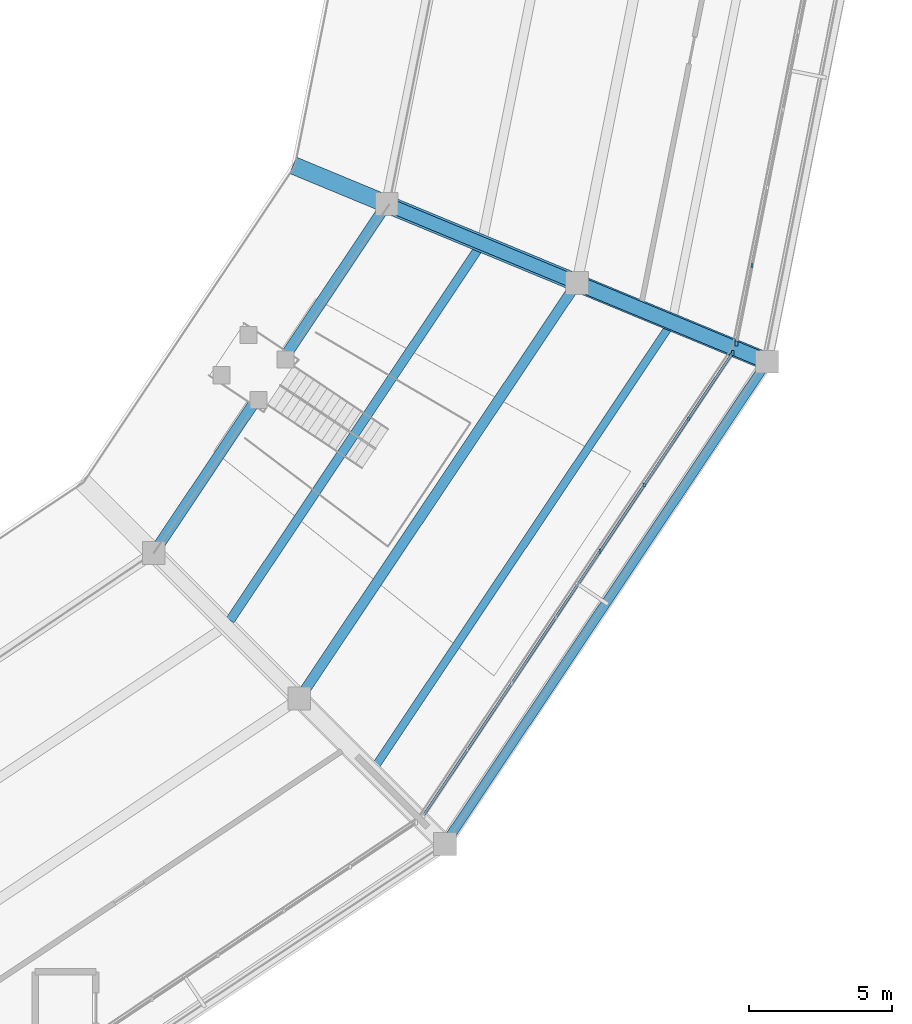
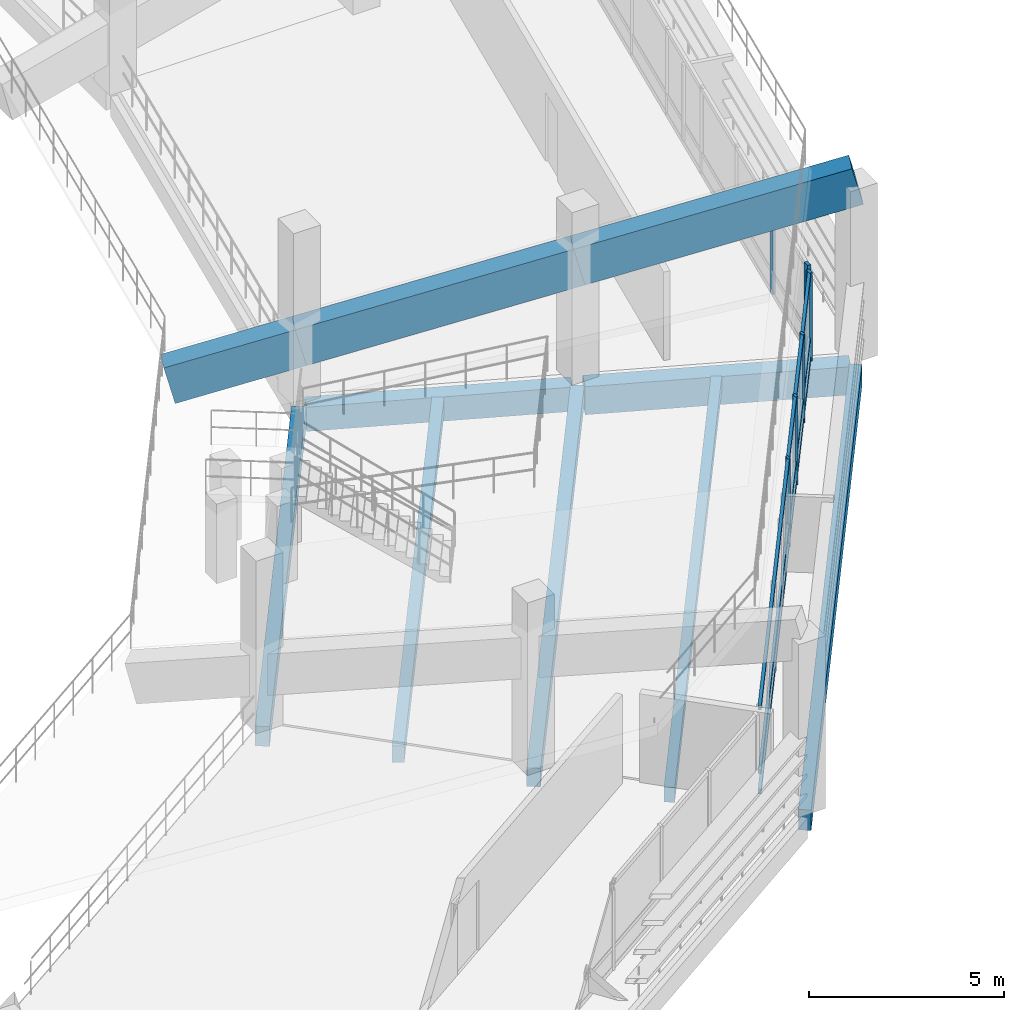
# One storey, part 32 of 96: 10 beams, 9 members, 2 elements without a shape of their own.
"""IFC4 building model written with IfcOpenShell, lengths in metres."""

from ifc_helpers import new_model, si_unit, direction, frame, origin, origin_2d, place, context, subcontext, project, spatial, rectangle, extrude, material, material_profile, profile_set, type_object, element, aggregate, save


model = new_model("IFC4")

# Units and contexts
model_context = context("Model", 3, precision=1e-05, world=origin(), true_north=direction((0.0, 1.0)))
body_context = subcontext(model_context, "Body", "Model", "MODEL_VIEW")
ifc_project = project(units=[si_unit("LENGTHUNIT", "METRE"), si_unit("AREAUNIT", "SQUARE_METRE"), si_unit("VOLUMEUNIT", "CUBIC_METRE"), si_unit("PLANEANGLEUNIT", "RADIAN"), si_unit("MASSUNIT", "GRAM", prefix="KILO")], contexts=[model_context])

# Site, building, storey
site_placement = place(None, origin())
site = spatial("IfcSite", under=ifc_project, at=site_placement, CompositionType="ELEMENT")
building_placement = place(site_placement, origin())
building = spatial("IfcBuilding", under=site, at=building_placement, Name="Candeia Ridge Stadium", CompositionType="ELEMENT")
storey_placement = place(building_placement, frame((0.0, 0.0, 21.60009765625)))
storey = spatial("IfcBuildingStorey", under=building, at=storey_placement, Name="L04", CompositionType="ELEMENT", Elevation=21.60009765625)

# Curtain wall, member
ifc_material_1 = material(Name="Aluminium Anodized Warm Bronze", Category="aluminium")
curtain_wall_type = type_object("IfcCurtainWallType", Name="Concourse Recessed Unitised Curtain Wall", PredefinedType="NOTDEFINED", material=ifc_material_1)
curtain_wall_1_placement = place(storey_placement, origin())
curtain_wall_1 = element("IfcCurtainWall", 1, at=curtain_wall_1_placement, inside=storey, type_object=curtain_wall_type, Name="Unitised curtain wall CW-BWL-L04-27", PredefinedType="NOTDEFINED")
ifc_material_profile_1 = material_profile(ifc_material_1, rectangle(XDim=0.090087890625, YDim=0.179931640625, at=origin_2d()), Name="CWM-90x180", Category="aluminium")
ifc_profile_set_1 = profile_set([ifc_material_profile_1], Name="Aluminium Anodized Warm Bronze")
member_type_1 = type_object("IfcMemberType", Name="Curtain Wall Primary Mullion 90x180", PredefinedType="MULLION", material=ifc_profile_set_1)
member_1_placement = place(storey_placement, frame((187.8330078125, 51.409912109375, 0.0), z_axis=(0.0, 0.0, 1.0), x_axis=(1.0, 0.0, 0.0)))
member_1 = element("IfcMember", 2, at=member_1_placement, type_object=member_type_1, Name="Curtain wall mullion CW-BWL-L04-27-M7", PredefinedType="MULLION", context=body_context, shape_type="SweptSolid", body=[
    extrude(rectangle(XDim=0.090087890625, YDim=0.179931640625, at=origin_2d()), origin(), (0.0, 0.0, 1.0), 2.772216796875),
])

curtain_wall_2_placement = place(storey_placement, origin())
curtain_wall_2 = element("IfcCurtainWall", 3, at=curtain_wall_2_placement, inside=storey, type_object=curtain_wall_type, Name="Unitised curtain wall CW-BWL-L04-28", PredefinedType="NOTDEFINED")
member_2_placement = place(storey_placement, frame((187.96826171875, 51.736083984375, 0.0), z_axis=(0.0, 0.0, 1.0), x_axis=(1.0, 0.0, 0.0)))
member_2 = element("IfcMember", 4, at=member_2_placement, type_object=member_type_1, Name="Curtain wall mullion CW-BWL-L04-28-M0", PredefinedType="MULLION", context=body_context, shape_type="SweptSolid", body=[
    extrude(rectangle(XDim=0.090087890625, YDim=0.179931640625, at=origin_2d()), origin(), (0.0, 0.0, 1.0), 2.772216796875),
])

# Member
ifc_material_profile_2 = material_profile(ifc_material_1, rectangle(XDim=0.074951171875, YDim=0.14990234375, at=origin_2d()), Name="CWM-75x150", Category="aluminium")
ifc_profile_set_2 = profile_set([ifc_material_profile_2], Name="Aluminium Anodized Warm Bronze")
member_type_2 = type_object("IfcMemberType", Name="Curtain Wall Secondary Mullion 75x150", PredefinedType="MULLION", material=ifc_profile_set_2)
member_3_placement = place(storey_placement, frame((183.19921875, 44.47509765625, 0.0), z_axis=(0.0, 0.0, 1.0), x_axis=(1.0, 0.0, 0.0)))
member_3 = element("IfcMember", 5, at=member_3_placement, type_object=member_type_2, Name="Curtain wall mullion CW-BWL-L04-27-M4", PredefinedType="MULLION", context=body_context, shape_type="SweptSolid", body=[
    extrude(rectangle(XDim=0.074951171875, YDim=0.14990234375, at=origin_2d()), origin(), (0.0, 0.0, 1.0), 2.772216796875),
])

member_4_placement = place(storey_placement, frame((184.743896484375, 46.78662109375, 0.0), z_axis=(0.0, 0.0, 1.0), x_axis=(1.0, 0.0, 0.0)))
member_4 = element("IfcMember", 6, at=member_4_placement, type_object=member_type_2, Name="Curtain wall mullion CW-BWL-L04-27-M5", PredefinedType="MULLION", context=body_context, shape_type="SweptSolid", body=[
    extrude(rectangle(XDim=0.074951171875, YDim=0.14990234375, at=origin_2d()), origin(), (0.0, 0.0, 1.0), 2.772216796875),
])

member_5_placement = place(storey_placement, frame((186.28857421875, 49.098388671875, 0.0), z_axis=(0.0, 0.0, 1.0), x_axis=(1.0, 0.0, 0.0)))
member_5 = element("IfcMember", 7, at=member_5_placement, type_object=member_type_2, Name="Curtain wall mullion CW-BWL-L04-27-M6", PredefinedType="MULLION", context=body_context, shape_type="SweptSolid", body=[
    extrude(rectangle(XDim=0.074951171875, YDim=0.14990234375, at=origin_2d()), origin(), (0.0, 0.0, 1.0), 2.772216796875),
])

member_6_placement = place(storey_placement, frame((188.510498046875, 54.462890625, 0.0), z_axis=(0.0, 0.0, 1.0), x_axis=(1.0, 0.0, 0.0)))
member_6 = element("IfcMember", 8, at=member_6_placement, type_object=member_type_2, Name="Curtain wall mullion CW-BWL-L04-28-M1", PredefinedType="MULLION", context=body_context, shape_type="SweptSolid", body=[
    extrude(rectangle(XDim=0.074951171875, YDim=0.14990234375, at=origin_2d()), origin(), (0.0, 0.0, 1.0), 2.772216796875),
])

aggregate(curtain_wall_2, [member_2, member_6])

ifc_material_profile_3 = material_profile(ifc_material_1, rectangle(XDim=0.074951171875, YDim=0.110107421875, at=origin_2d()), Name="CWT-75x110", Category="aluminium")
ifc_profile_set_3 = profile_set([ifc_material_profile_3], Name="Aluminium Anodized Warm Bronze")
member_type_3 = type_object("IfcMemberType", Name="Curtain Wall Secondary Transom 75x110", PredefinedType="USERDEFINED", material=ifc_profile_set_3)
member_7_placement = place(storey_placement, frame((177.02099609375, 35.228515625, 0.693115234375), z_axis=(0.555568394863, 0.831470840517, 0.0), x_axis=(-0.831470840517, 0.555568394863, 0.0)))
member_7 = element("IfcMember", 9, at=member_7_placement, type_object=member_type_3, Name="Curtain wall transom CW-BWL-L04-27-T1", ObjectType="TRANSOM", PredefinedType="USERDEFINED", context=body_context, shape_type="SweptSolid", body=[
    extrude(rectangle(XDim=0.074951171875, YDim=0.110107421875, at=origin_2d()), origin(), (0.0, 0.0, 1.0), 19.461181640625),
])

ifc_material_profile_4 = material_profile(ifc_material_1, rectangle(XDim=0.090087890625, YDim=0.139892578125, at=origin_2d()), Name="CWT-90x140", Category="aluminium")
ifc_profile_set_4 = profile_set([ifc_material_profile_4], Name="Aluminium Anodized Warm Bronze")
member_type_4 = type_object("IfcMemberType", Name="Curtain Wall Transom 90x140", PredefinedType="USERDEFINED", material=ifc_profile_set_4)
member_8_placement = place(storey_placement, frame((177.02099609375, 35.228515625, 0.06982421875), z_axis=(0.555568394863, 0.831470840517, 0.0), x_axis=(-0.831470840517, 0.555568394863, 0.0)))
member_8 = element("IfcMember", 10, at=member_8_placement, type_object=member_type_4, Name="Curtain wall transom CW-BWL-L04-27-T0", ObjectType="TRANSOM", PredefinedType="USERDEFINED", context=body_context, shape_type="SweptSolid", body=[
    extrude(rectangle(XDim=0.090087890625, YDim=0.139892578125, at=origin_2d()), origin(), (0.0, 0.0, 1.0), 19.461181640625),
])

member_9_placement = place(storey_placement, frame((177.02099609375, 35.228515625, 2.7021484375), z_axis=(0.555568394863, 0.831470840517, 0.0), x_axis=(-0.831470840517, 0.555568394863, 0.0)))
member_9 = element("IfcMember", 11, at=member_9_placement, type_object=member_type_4, Name="Curtain wall transom CW-BWL-L04-27-T2", ObjectType="TRANSOM", PredefinedType="USERDEFINED", context=body_context, shape_type="SweptSolid", body=[
    extrude(rectangle(XDim=0.090087890625, YDim=0.139892578125, at=origin_2d()), origin(), (0.0, 0.0, 1.0), 19.461181640625),
])

aggregate(curtain_wall_1, [member_3, member_4, member_5, member_1, member_8, member_7, member_9])

# Beams
ifc_material_2 = material(Name="Concrete C40/50", Category="concrete")
ifc_material_profile_5 = material_profile(ifc_material_2, rectangle(XDim=0.280029296875, YDim=0.4599609375, at=origin_2d()), Name="RC280x460", Category="concrete")
ifc_profile_set_5 = profile_set([ifc_material_profile_5], Name="Concrete C40/50")
beam_type_1 = type_object("IfcBeamType", Name="Floor Joist RC280x460", PredefinedType="JOIST", material=ifc_profile_set_5)
beam_1_placement = place(storey_placement, frame((175.347412109375, 36.960693359375, -0.489990234375), z_axis=(0.555573683674, 0.831467306639, 0.0), x_axis=(-0.831467306639, 0.555573683674, 0.0)))
element("IfcBeam", 12, at=beam_1_placement, inside=storey, type_object=beam_type_1, Name="Concourse secondary joist BM-L04-0921", PredefinedType="JOIST", context=body_context, shape_type="SweptSolid", body=[
    extrude(rectangle(XDim=0.280029296875, YDim=0.4599609375, at=origin_2d()), origin(), (0.0, 0.0, 1.0), 18.440673828125),
])
ifc_material_profile_6 = material_profile(ifc_material_2, rectangle(XDim=0.320068359375, YDim=0.52001953125, at=origin_2d()), Name="RC320x520", Category="concrete")
ifc_profile_set_6 = profile_set([ifc_material_profile_6], Name="Concrete C40/50")
beam_type_2 = type_object("IfcBeamType", Name="Floor Joist RC320x520", PredefinedType="JOIST", material=ifc_profile_set_6)
beam_2_placement = place(storey_placement, frame((170.256103515625, 42.0517578125, -0.52001953125), z_axis=(0.555568527312, 0.831470752017, 0.0), x_axis=(-0.831470752017, 0.555568527312, 0.0)))
element("IfcBeam", 13, at=beam_2_placement, inside=storey, type_object=beam_type_2, Name="Concourse secondary joist BM-L04-0920", PredefinedType="JOIST", context=body_context, shape_type="SweptSolid", body=[
    extrude(rectangle(XDim=0.320068359375, YDim=0.52001953125, at=origin_2d()), origin(), (0.0, 0.0, 1.0), 15.63134765625),
])
ifc_material_profile_7 = material_profile(ifc_material_2, rectangle(XDim=0.360107421875, YDim=0.580078125, at=origin_2d()), Name="RC360x580", Category="concrete")
ifc_profile_set_7 = profile_set([ifc_material_profile_7], Name="Concrete C40/50")
beam_type_3 = type_object("IfcBeamType", Name="Frame Girder RC360x580", PredefinedType="BEAM", material=ifc_profile_set_7)
beam_3_placement = place(storey_placement, frame((172.767333984375, 39.45458984375, -0.550048828125), z_axis=(0.555573223542, 0.831467614091, 0.0), x_axis=(-0.831467614091, 0.555573223542, 0.0)))
element("IfcBeam", 14, at=beam_3_placement, inside=storey, type_object=beam_type_3, Name="Concourse spine girder BM-L04-0918", PredefinedType="BEAM", context=body_context, shape_type="SweptSolid", body=[
    extrude(rectangle(XDim=0.360107421875, YDim=0.580078125, at=origin_2d()), origin(), (0.0, 0.0, 1.0), 17.16015625),
])
ifc_material_profile_8 = material_profile(ifc_material_2, rectangle(XDim=0.3798828125, YDim=0.6201171875, at=origin_2d()), Name="RC380x620", Category="concrete")
ifc_profile_set_8 = profile_set([ifc_material_profile_8], Name="Concrete C40/50")
beam_type_4 = type_object("IfcBeamType", Name="Frame Girder RC380x620", PredefinedType="BEAM", material=ifc_profile_set_8)
beam_4_placement = place(storey_placement, frame((167.676025390625, 44.5458984375, -0.570068359375), z_axis=(0.55557537569, 0.831466176057, 0.0), x_axis=(-0.831466176057, 0.55557537569, 0.0)))
element("IfcBeam", 15, at=beam_4_placement, inside=storey, type_object=beam_type_4, Name="Bowl inner ring girder BM-L04-0917", PredefinedType="BEAM", context=body_context, shape_type="SweptSolid", body=[
    extrude(rectangle(XDim=0.3798828125, YDim=0.6201171875, at=origin_2d()), origin(), (0.0, 0.0, 1.0), 14.350830078125),
])
ifc_material_profile_9 = material_profile(ifc_material_2, rectangle(XDim=0.469970703125, YDim=0.760009765625, at=origin_2d()), Name="RC470x760", Category="concrete")
ifc_profile_set_9 = profile_set([ifc_material_profile_9], Name="Concrete C40/50")
beam_type_5 = type_object("IfcBeamType", Name="Frame Girder RC470x760", PredefinedType="BEAM", material=ifc_profile_set_9)
beam_5_placement = place(storey_placement, frame((175.8857421875, 56.5498046875, -0.64013671875), z_axis=(0.923880161031, -0.382681914982, 0.0), x_axis=(0.382681914982, 0.923880161031, 0.0)))
element("IfcBeam", 16, at=beam_5_placement, inside=storey, type_object=beam_type_5, Name="Bowl radial girder BM-L04-0777", PredefinedType="BEAM", context=body_context, shape_type="SweptSolid", body=[
    extrude(rectangle(XDim=0.469970703125, YDim=0.760009765625, at=origin_2d()), origin(), (0.0, 0.0, 1.0), 6.8798828125),
])
ifc_material_3 = material(Name="Concrete C45/55", Category="concrete")
ifc_material_profile_10 = material_profile(ifc_material_3, rectangle(XDim=0.52001953125, YDim=0.8798828125, at=origin_2d()), Name="RC520x880", Category="concrete")
ifc_profile_set_10 = profile_set([ifc_material_profile_10], Name="Concrete C45/55")
beam_type_6 = type_object("IfcBeamType", Name="Frame Girder RC520x880", PredefinedType="BEAM", material=ifc_profile_set_10)
beam_6_placement = place(storey_placement, frame((182.53759765625, 53.79443359375, -0.7001953125), z_axis=(0.923880161031, -0.382681914982, 0.0), x_axis=(0.382681914982, 0.923880161031, 0.0)))
element("IfcBeam", 17, at=beam_6_placement, inside=storey, type_object=beam_type_6, Name="Bowl radial girder BM-L04-0778", PredefinedType="BEAM", context=body_context, shape_type="SweptSolid", body=[
    extrude(rectangle(XDim=0.52001953125, YDim=0.8798828125, at=origin_2d()), origin(), (0.0, 0.0, 1.0), 6.8798828125),
])
ifc_material_profile_11 = material_profile(ifc_material_2, rectangle(XDim=0.330078125, YDim=0.639892578125, at=origin_2d()), Name="RC330x640", Category="concrete")
ifc_profile_set_11 = profile_set([ifc_material_profile_11], Name="Concrete C40/50")
beam_type_7 = type_object("IfcBeamType", Name="Spandrel Beam RC330x640", PredefinedType="SPANDREL", material=ifc_profile_set_11)
beam_7_placement = place(storey_placement, frame((177.8583984375, 34.363525390625, -0.580078125), z_axis=(0.555571676938, 0.831468647505, 0.0), x_axis=(-0.831468647505, 0.555571676938, 0.0)))
element("IfcBeam", 18, at=beam_7_placement, inside=storey, type_object=beam_type_7, Name="Bowl perimeter spandrel BM-L04-0919", PredefinedType="SPANDREL", context=body_context, shape_type="SweptSolid", body=[
    extrude(rectangle(XDim=0.330078125, YDim=0.639892578125, at=origin_2d()), origin(), (0.0, 0.0, 1.0), 19.969482421875),
])
ifc_material_profile_12 = material_profile(ifc_material_3, rectangle(XDim=0.6201171875, YDim=1.179931640625, at=origin_2d()), Name="RC620x1180", Category="concrete")
ifc_profile_set_12 = profile_set([ifc_material_profile_12], Name="Concrete C45/55")
beam_type_8 = type_object("IfcBeamType", Name="Stand Raker Beam RC620x1180", PredefinedType="USERDEFINED", material=ifc_profile_set_12)
for number, where, z_axis, x_axis, name in (
    (19, (175.73779296875, 56.611083984375, 1.66796875), (0.894394775155, -0.370467920593, 0.250622237615), (0.382681205745, 0.923880454805, 0.0), "Stand T3 inner raker beam 29"),
    (20, (182.389892578125, 53.855712890625, 3.531982421875), (0.894373489566, -0.370472700699, 0.250691123094), (0.382693194178, 0.923875488976, 0.0), "Stand T3 outer raker beam 29"),
):
    element("IfcBeam", number, at=place(storey_placement, frame(where, z_axis=z_axis, x_axis=x_axis)), inside=storey, type_object=beam_type_8, Name=name, ObjectType="RAKER", PredefinedType="USERDEFINED", context=body_context, shape_type="SweptSolid", body=[
        extrude(rectangle(XDim=0.6201171875, YDim=1.179931640625, at=origin_2d()), origin(), (0.0, 0.0, 1.0), 7.4375),
    ])
beam_8_placement = place(storey_placement, frame((172.5966796875, 57.912109375, 0.78759765625), z_axis=(0.894388315816, -0.37044888349, 0.250673423506), x_axis=(0.382666779591, 0.92388643014, 0.0)))
element("IfcBeam", 21, at=beam_8_placement, inside=storey, type_object=beam_type_8, Name="Stand T3 cantilever raker beam 29", ObjectType="RAKER", PredefinedType="USERDEFINED", context=body_context, shape_type="SweptSolid", body=[
    extrude(rectangle(XDim=0.6201171875, YDim=1.179931640625, at=origin_2d()), origin(), (0.0, 0.0, 1.0), 3.511962890625),
])

save(model, "model.ifc")
